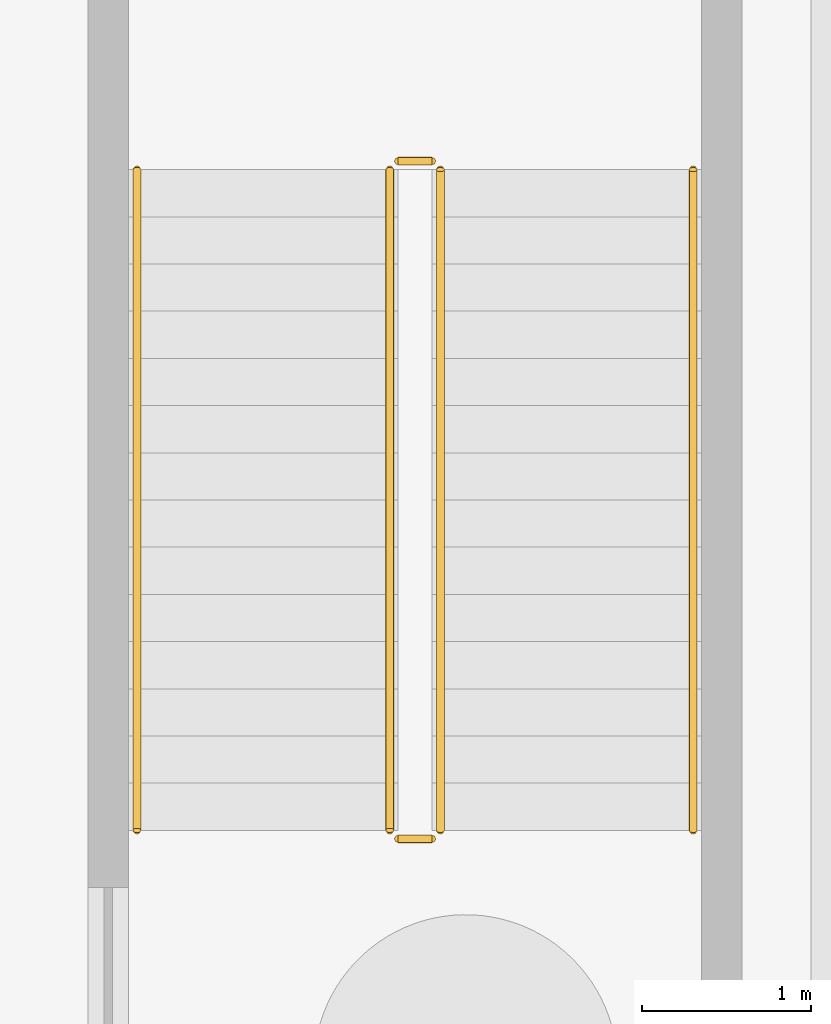
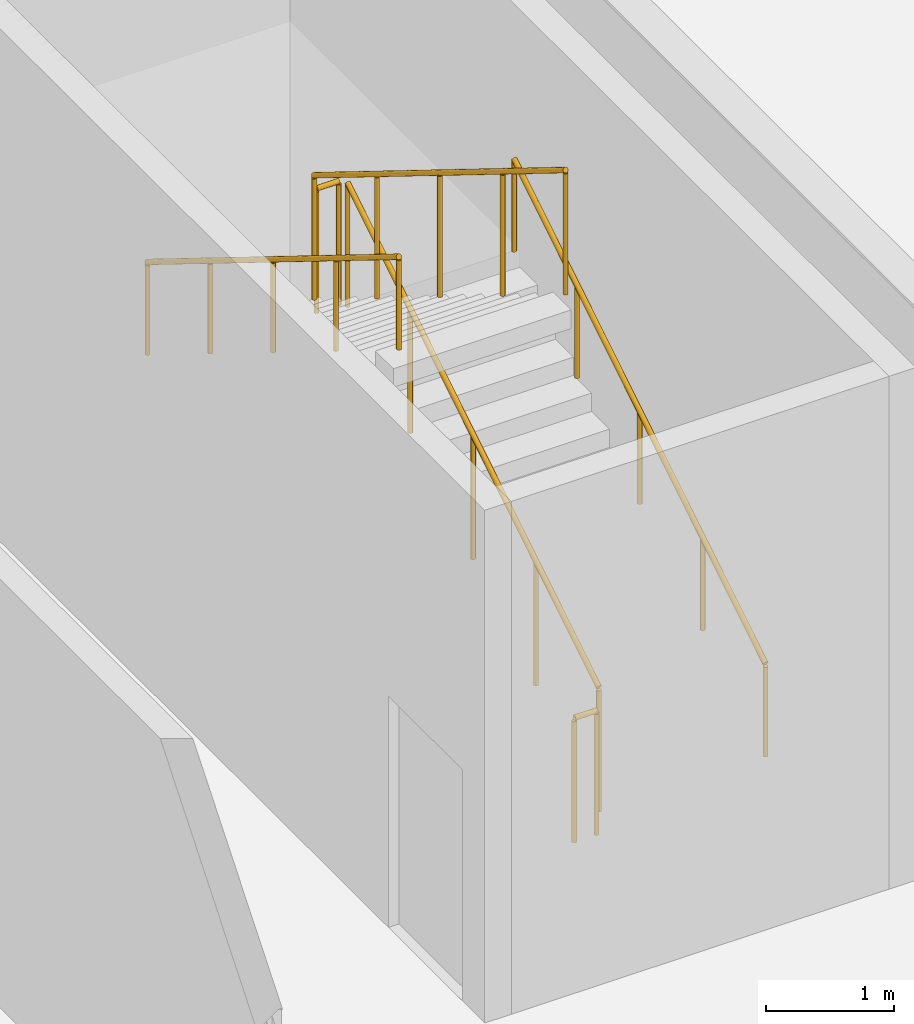
# One storey, part 11 of 12: 6 railings.
"""IFC4 building model written with IfcOpenShell, lengths in metres."""

from ifc_helpers import new_model, si_unit, direction, frame, origin, origin_2d, place, context, subcontext, project, spatial, circle, extrude, material, type_object, element, save


model = new_model("IFC4")

# Units and contexts
model_context = context("Model", 3, precision=1e-05, world=origin(), true_north=direction((0.0, 1.0)))
body_context = subcontext(model_context, "Body", "Model", "MODEL_VIEW")
ifc_project = project(units=[si_unit("LENGTHUNIT", "METRE"), si_unit("AREAUNIT", "SQUARE_METRE"), si_unit("VOLUMEUNIT", "CUBIC_METRE"), si_unit("PLANEANGLEUNIT", "RADIAN"), si_unit("MASSUNIT", "GRAM", prefix="KILO")], contexts=[model_context])

# Site, building, storey
site_placement = place(None, origin())
site = spatial("IfcSite", under=ifc_project, at=site_placement, CompositionType="ELEMENT")
building_placement = place(site_placement, origin())
building = spatial("IfcBuilding", under=site, at=building_placement, Name="Calvorn Quay Hotel", CompositionType="ELEMENT")
storey_placement = place(building_placement, frame((0.0, 0.0, -10.39990234375)))
storey = spatial("IfcBuildingStorey", under=building, at=storey_placement, Name="B2", CompositionType="ELEMENT", Elevation=-10.39990234375)

# Railings
ifc_material_1 = material(Name="Brushed Stainless Steel Handrail", Category="steel")
railing_type_1 = type_object("IfcRailingType", Name="RLG-HANDRAIL-900", PredefinedType="HANDRAIL", material=ifc_material_1)
railing_1_placement = place(storey_placement, frame((56.75, 45.800048828125, 0.17333984375)))
element("IfcRailing", 1, at=railing_1_placement, inside=storey, type_object=railing_type_1, Name="B2 ST-P1 stair handrail 1", PredefinedType="HANDRAIL", context=body_context, shape_type="SweptSolid", body=[
    extrude(circle(Radius=0.02392578125, at=origin_2d()), frame((0.0, 0.0, 0.8759765625), z_axis=(0.0, 0.850275303828, 0.526338206574), x_axis=(-1.0, 0.0, 0.0)), (0.0, 0.0, 1.0), 4.610107421875),
    extrude(circle(Radius=0.02099609375, at=origin_2d()), origin(), (0.0, 0.0, 1.0), 0.851806640625),
    extrude(circle(Radius=0.02099609375, at=origin_2d()), frame((0.0, 0.97998046875, 0.606689453125)), (0.0, 0.0, 1.0), 0.851806640625),
    extrude(circle(Radius=0.02099609375, at=origin_2d()), frame((0.0, 1.9599609375, 1.21337890625)), (0.0, 0.0, 1.0), 0.851806640625),
    extrude(circle(Radius=0.02099609375, at=origin_2d()), frame((0.0, 2.93994140625, 1.81982421875)), (0.0, 0.0, 1.0), 0.851806640625),
    extrude(circle(Radius=0.02099609375, at=origin_2d()), frame((0.0, 3.919921875, 2.426513671875)), (0.0, 0.0, 1.0), 0.851806640625),
])
railing_2_placement = place(storey_placement, frame((53.449951171875, 49.719970703125, 2.773193359375)))
element("IfcRailing", 2, at=railing_2_placement, inside=storey, type_object=railing_type_1, Name="B2 ST-P1 stair handrail 2", PredefinedType="HANDRAIL", context=body_context, shape_type="SweptSolid", body=[
    extrude(circle(Radius=0.02392578125, at=origin_2d()), frame((0.0, 0.0, 0.8759765625), z_axis=(0.0, -0.850251603719, 0.526376491091), x_axis=(1.0, 0.0, 0.0)), (0.0, 0.0, 1.0), 4.6103515625),
    extrude(circle(Radius=0.02099609375, at=origin_2d()), origin(), (0.0, 0.0, 1.0), 0.851806640625),
    extrude(circle(Radius=0.02099609375, at=origin_2d()), frame((0.0, -0.97998046875, 0.606689453125)), (0.0, 0.0, 1.0), 0.851806640625),
    extrude(circle(Radius=0.02099609375, at=origin_2d()), frame((0.0, -1.9599609375, 1.21337890625)), (0.0, 0.0, 1.0), 0.851806640625),
    extrude(circle(Radius=0.02099609375, at=origin_2d()), frame((0.0, -2.93994140625, 1.820068359375)), (0.0, 0.0, 1.0), 0.851806640625),
    extrude(circle(Radius=0.02099609375, at=origin_2d()), frame((0.0, -3.919921875, 2.4267578125)), (0.0, 0.0, 1.0), 0.851806640625),
])
ifc_material_2 = material(Name="Painted Galvanised Steel Balustrade", Category="steel")
railing_type_2 = type_object("IfcRailingType", Name="RLG-STAIR-GUARD-1120", PredefinedType="GUARDRAIL", material=ifc_material_2)
railing_3_placement = place(storey_placement, frame((55.25, 45.800048828125, 0.17333984375)))
element("IfcRailing", 3, at=railing_3_placement, inside=storey, type_object=railing_type_2, Name="B2 ST-P1 stair guard 1", PredefinedType="GUARDRAIL", context=body_context, shape_type="SweptSolid", body=[
    extrude(circle(Radius=0.02392578125, at=origin_2d()), frame((0.0, 0.0, 1.17578125), z_axis=(0.0, 0.850275303828, 0.526338206574), x_axis=(-1.0, 0.0, 0.0)), (0.0, 0.0, 1.0), 4.610107421875),
    extrude(circle(Radius=0.02099609375, at=origin_2d()), origin(), (0.0, 0.0, 1.0), 1.15185546875),
    extrude(circle(Radius=0.02099609375, at=origin_2d()), frame((0.0, 0.97998046875, 0.606689453125)), (0.0, 0.0, 1.0), 1.15185546875),
    extrude(circle(Radius=0.02099609375, at=origin_2d()), frame((0.0, 1.9599609375, 1.21337890625)), (0.0, 0.0, 1.0), 1.15185546875),
    extrude(circle(Radius=0.02099609375, at=origin_2d()), frame((0.0, 2.93994140625, 1.81982421875)), (0.0, 0.0, 1.0), 1.15185546875),
    extrude(circle(Radius=0.02099609375, at=origin_2d()), frame((0.0, 3.919921875, 2.426513671875)), (0.0, 0.0, 1.0), 1.15185546875),
])
railing_4_placement = place(storey_placement, frame((55.199951171875, 49.77001953125, 2.599853515625)))
element("IfcRailing", 4, at=railing_4_placement, inside=storey, type_object=railing_type_2, Name="B2 ST-P1 stair guard 2", PredefinedType="GUARDRAIL", context=body_context, shape_type="SweptSolid", body=[
    extrude(circle(Radius=0.02392578125, at=origin_2d()), frame((0.0, 0.0, 1.17578125), z_axis=(-1.0, 0.0, 0.0), x_axis=(0.0, -1.0, 0.0)), (0.0, 0.0, 1.0), 0.199951171875),
    extrude(circle(Radius=0.02099609375, at=origin_2d()), origin(), (0.0, 0.0, 1.0), 1.15185546875),
    extrude(circle(Radius=0.02099609375, at=origin_2d()), frame((-0.199951171875, 0.0, 0.0)), (0.0, 0.0, 1.0), 1.15185546875),
])
railing_5_placement = place(storey_placement, frame((54.949951171875, 49.719970703125, 2.773193359375)))
element("IfcRailing", 5, at=railing_5_placement, inside=storey, type_object=railing_type_2, Name="B2 ST-P1 stair guard 3", PredefinedType="GUARDRAIL", context=body_context, shape_type="SweptSolid", body=[
    extrude(circle(Radius=0.02392578125, at=origin_2d()), frame((0.0, 0.0, 1.17578125), z_axis=(0.0, -0.850251603719, 0.526376491091), x_axis=(1.0, 0.0, 0.0)), (0.0, 0.0, 1.0), 4.6103515625),
    extrude(circle(Radius=0.02099609375, at=origin_2d()), origin(), (0.0, 0.0, 1.0), 1.15185546875),
    extrude(circle(Radius=0.02099609375, at=origin_2d()), frame((0.0, -0.97998046875, 0.606689453125)), (0.0, 0.0, 1.0), 1.15185546875),
    extrude(circle(Radius=0.02099609375, at=origin_2d()), frame((0.0, -1.9599609375, 1.21337890625)), (0.0, 0.0, 1.0), 1.15185546875),
    extrude(circle(Radius=0.02099609375, at=origin_2d()), frame((0.0, -2.93994140625, 1.820068359375)), (0.0, 0.0, 1.0), 1.15185546875),
    extrude(circle(Radius=0.02099609375, at=origin_2d()), frame((0.0, -3.919921875, 2.4267578125)), (0.0, 0.0, 1.0), 1.15185546875),
])
railing_6_placement = place(storey_placement, frame((55.199951171875, 45.75, 0.0)))
element("IfcRailing", 6, at=railing_6_placement, inside=storey, type_object=railing_type_2, Name="B2 ST-P1 stair guard 4", PredefinedType="GUARDRAIL", context=body_context, shape_type="SweptSolid", body=[
    extrude(circle(Radius=0.02392578125, at=origin_2d()), frame((0.0, 0.0, 1.17578125), z_axis=(-1.0, 0.0, 0.0), x_axis=(0.0, -1.0, 0.0)), (0.0, 0.0, 1.0), 0.199951171875),
    extrude(circle(Radius=0.02099609375, at=origin_2d()), origin(), (0.0, 0.0, 1.0), 1.15185546875),
    extrude(circle(Radius=0.02099609375, at=origin_2d()), frame((-0.199951171875, 0.0, 0.0)), (0.0, 0.0, 1.0), 1.15185546875),
])

save(model, "model.ifc")
